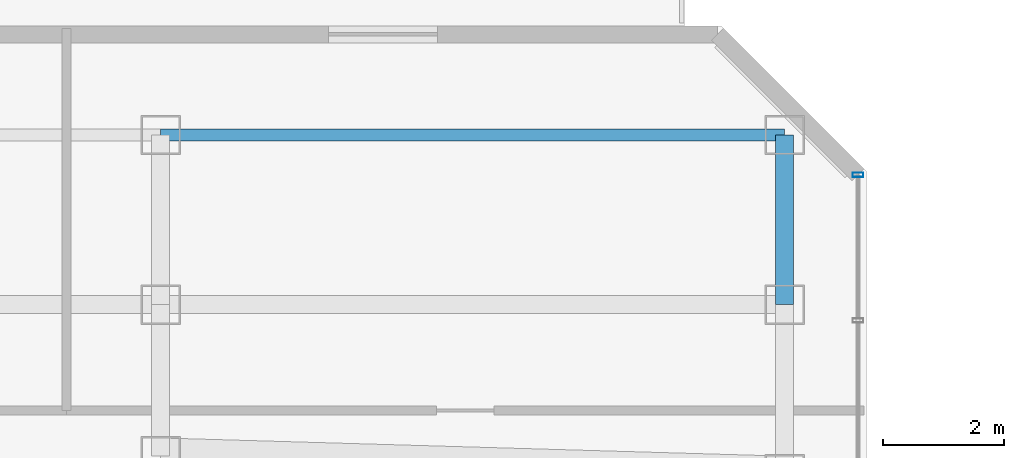
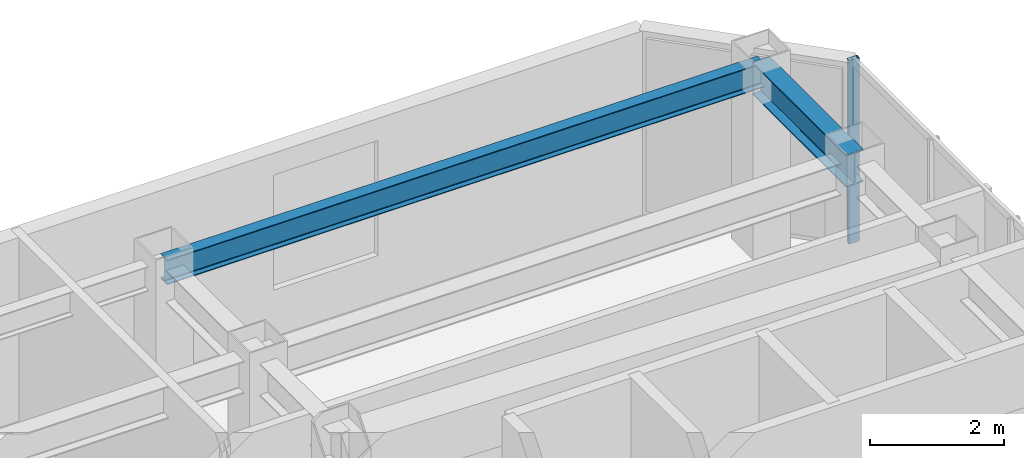
# One storey, part 15 of 22: 2 beams, 1 member, 1 element without a shape of its own.
"""IFC4 building model written with IfcOpenShell, lengths in metres."""

from ifc_helpers import new_model, si_unit, direction, frame, origin, origin_2d, place, context, subcontext, project, spatial, hollow_rectangle, i_section, extrude, material, layer, layer_set, material_profile, profile_set, type_object, element, aggregate, save


model = new_model("IFC4")

# Units and contexts
model_context = context("Model", 3, precision=1e-05, world=origin(), true_north=direction((0.0, 1.0)))
body_context = subcontext(model_context, "Body", "Model", "MODEL_VIEW")
ifc_project = project(units=[si_unit("LENGTHUNIT", "METRE"), si_unit("AREAUNIT", "SQUARE_METRE"), si_unit("VOLUMEUNIT", "CUBIC_METRE"), si_unit("PLANEANGLEUNIT", "RADIAN"), si_unit("MASSUNIT", "GRAM", prefix="KILO")], contexts=[model_context])

# Site, building, storey
site_placement = place(None, origin())
site = spatial("IfcSite", under=ifc_project, at=site_placement, CompositionType="ELEMENT")
building_placement = place(site_placement, origin())
building = spatial("IfcBuilding", under=site, at=building_placement, Name="Hatsunagi Terrace Concourse", CompositionType="ELEMENT")
storey_placement = place(building_placement, frame((0.0, 0.0, 243.14990234375)))
storey = spatial("IfcBuildingStorey", under=building, at=storey_placement, Name="L64", CompositionType="ELEMENT", Elevation=243.14990234375)

# Curtain wall, member
ifc_material_1 = material(Name="Anodised Aluminium Alloy 6063-T5", Category="aluminium")
ifc_layer = layer(ifc_material_1, 0.199951171875)
ifc_layer_set = layer_set([ifc_layer], Name="OfficeZone2_CW04")
curtain_wall_type = type_object("IfcCurtainWallType", Name="OfficeZone2_CW04", PredefinedType="NOTDEFINED", material=ifc_layer_set)
curtain_wall_placement = place(storey_placement, origin())
curtain_wall = element("IfcCurtainWall", 1, at=curtain_wall_placement, inside=storey, type_object=curtain_wall_type, Name="Unitised Curtain Wall CW-04 CW-L64-12", PredefinedType="NOTDEFINED")
ifc_material_2 = material(Name="Anodised Aluminium Alloy 6063-T5", Category="aluminium")
ifc_material_profile_1 = material_profile(ifc_material_2, hollow_rectangle(XDim=0.070068359375, YDim=0.179931640625, WallThickness=0.00390625, at=origin_2d()), Name="ALU-MUL-180x70x4")
ifc_profile_set_1 = profile_set([ifc_material_profile_1], Name="Anodised Aluminium Alloy 6063-T5")
member_type = type_object("IfcMemberType", Name="CurtainWallMullion_180x70", PredefinedType="MULLION", material=ifc_profile_set_1)
member_placement = place(storey_placement, frame((44.860107421875, 47.94189453125, 0.0), z_axis=(0.0, 0.0, 1.0), x_axis=(0.0, -1.0, 0.0)))
member = element("IfcMember", 2, at=member_placement, type_object=member_type, Name="Curtain Wall Mullion MUL-02", PredefinedType="MULLION", context=body_context, shape_type="SweptSolid", body=[
    extrude(hollow_rectangle(XDim=0.070068359375, YDim=0.179931640625, WallThickness=0.00390625, at=origin_2d()), origin(), (0.0, 0.0, 1.0), 3.35009765625),
])
aggregate(curtain_wall, [member])

# Beams
ifc_material_3 = material(Name="Steel SN490B", Category="steel")
ifc_material_profile_2 = material_profile(ifc_material_3, i_section(OverallWidth=0.300048828125, OverallDepth=0.587890625, WebThickness=0.011962890625, FlangeThickness=0.02001953125, FilletRadius=0.01806640625, at=origin_2d()), Name="H-588x300x12x20")
ifc_profile_set_2 = profile_set([ifc_material_profile_2], Name="Steel SN490B")
beam_type_1 = type_object("IfcBeamType", Name="OfficeHighGirder_H_588x300", PredefinedType="BEAM", material=ifc_profile_set_2)
beam_1_placement = place(storey_placement, frame((43.64990234375, 45.800048828125, 3.05615234375), z_axis=(0.0, 1.0, 0.0), x_axis=(-1.0, 0.0, 0.0)))
element("IfcBeam", 3, at=beam_1_placement, inside=storey, type_object=beam_type_1, Name="Beam G-06 BM-L64-KN-WN6", PredefinedType="BEAM", context=body_context, shape_type="SweptSolid", body=[
    extrude(i_section(OverallWidth=0.300048828125, OverallDepth=0.587890625, WebThickness=0.011962890625, FlangeThickness=0.02001953125, FilletRadius=0.01806640625, at=origin_2d()), origin(), (0.0, 0.0, 1.0), 2.800048828125),
])
ifc_material_4 = material(Name="Steel SN490B", Category="steel")
ifc_material_profile_3 = material_profile(ifc_material_4, i_section(OverallWidth=0.199951171875, OverallDepth=0.449951171875, WebThickness=0.009033203125, FlangeThickness=0.013916015625, FilletRadius=0.01611328125, at=origin_2d()), Name="H-450x200x9x14")
ifc_profile_set_3 = profile_set([ifc_material_profile_3], Name="Steel SN490B")
beam_type_2 = type_object("IfcBeamType", Name="PerimeterSpandrel_H_450x200", PredefinedType="SPANDREL", material=ifc_profile_set_3)
beam_2_placement = place(storey_placement, frame((33.35009765625, 48.60009765625, 3.125), z_axis=(1.0, 0.0, 0.0), x_axis=(0.0, 1.0, 0.0)))
element("IfcBeam", 4, at=beam_2_placement, inside=storey, type_object=beam_type_2, Name="Beam SP-02 BM-L64-WN-33", PredefinedType="SPANDREL", context=body_context, shape_type="SweptSolid", body=[
    extrude(i_section(OverallWidth=0.199951171875, OverallDepth=0.449951171875, WebThickness=0.009033203125, FlangeThickness=0.013916015625, FilletRadius=0.01611328125, at=origin_2d()), origin(), (0.0, 0.0, 1.0), 10.2998046875),
])

save(model, "model.ifc")
